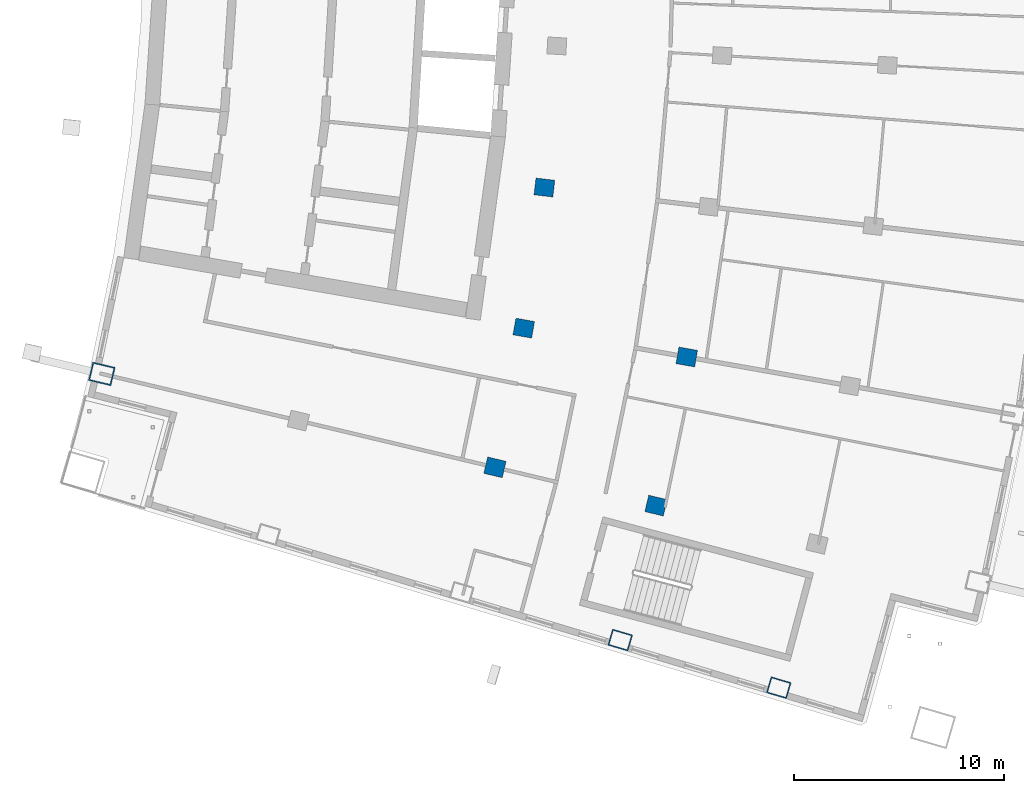
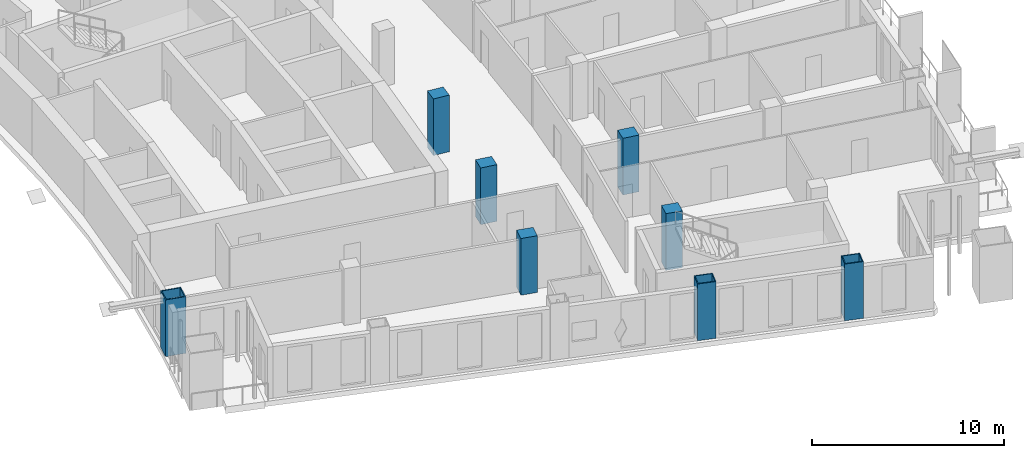
# One storey, part 2 of 20: 8 columns.
"""IFC4 building model written with IfcOpenShell, lengths in metres."""

from ifc_helpers import new_model, si_unit, direction, frame, origin, origin_2d, place, context, subcontext, project, spatial, rectangle, hollow_rectangle, extrude, material, material_profile, profile_set, type_object, element, save


model = new_model("IFC4")

# Units and contexts
model_context = context("Model", 3, precision=1e-05, world=origin(), true_north=direction((0.0, 1.0)))
body_context = subcontext(model_context, "Body", "Model", "MODEL_VIEW")
ifc_project = project(units=[si_unit("LENGTHUNIT", "METRE"), si_unit("AREAUNIT", "SQUARE_METRE"), si_unit("VOLUMEUNIT", "CUBIC_METRE"), si_unit("PLANEANGLEUNIT", "RADIAN"), si_unit("MASSUNIT", "GRAM", prefix="KILO")], contexts=[model_context])

# Site, building, storey
site_placement = place(None, origin())
site = spatial("IfcSite", under=ifc_project, at=site_placement, CompositionType="ELEMENT")
building_placement = place(site_placement, origin())
building = spatial("IfcBuilding", under=site, at=building_placement, Name="Alderwake Tower", CompositionType="ELEMENT")
storey_placement = place(building_placement, frame((0.0, 0.0, 167.60009765625)))
storey = spatial("IfcBuildingStorey", under=building, at=storey_placement, Name="L41", CompositionType="ELEMENT", Elevation=167.60009765625)

# Columns
ifc_material_1 = material(Name="Steel ASTM A572 Grade 50 concrete filled C70/85", Category="concrete")
ifc_material_profile_1 = material_profile(ifc_material_1, hollow_rectangle(XDim=0.800048828125, YDim=1.0, WallThickness=0.054931640625, at=origin_2d()), Name="BOX 1000X800X55")
ifc_profile_set_1 = profile_set([ifc_material_profile_1], Name="Steel ASTM A572 Grade 50 concrete filled C70/85")
column_type_1 = type_object("IfcColumnType", Name="End column Z3", PredefinedType="COLUMN", material=ifc_profile_set_1)
for number, where, z_axis, x_axis, name in (
    (1, (38.614990234375, 26.014892578125, 0.0), (0.0, 0.0, 1.0), (0.282898957267, 0.959149717186, 0.0), "Column R02-C3"),
    (2, (46.1494140625, 23.752685546875, 0.0), (0.0, 0.0, 1.0), (0.283176834711, 0.959067714128, 0.0), "Column R02-C4"),
):
    element("IfcColumn", number, at=place(storey_placement, frame(where, z_axis=z_axis, x_axis=x_axis)), inside=storey, type_object=column_type_1, Name=name, PredefinedType="COLUMN", context=body_context, shape_type="SweptSolid", body=[
        extrude(hollow_rectangle(XDim=0.800048828125, YDim=1.0, WallThickness=0.054931640625, at=origin_2d()), origin(), (0.0, 0.0, 1.0), 3.599853515625),
    ])
ifc_material_2 = material(Name="Concrete C70/85", Category="concrete")
ifc_material_profile_2 = material_profile(ifc_material_2, rectangle(XDim=0.800048828125, YDim=0.89990234375, at=origin_2d()), Name="RC 900X800")
ifc_profile_set_2 = profile_set([ifc_material_profile_2], Name="Concrete C70/85")
column_type_2 = type_object("IfcColumnType", Name="Interior column Z3", PredefinedType="COLUMN", material=ifc_profile_set_2)
for number, where, z_axis, x_axis, name in (
    (3, (32.661865234375, 34.224609375, 0.0), (0.0, 0.0, 1.0), (0.231221547198, 0.972901123502, 0.0), "Column R03-C2"),
    (4, (40.3154296875, 32.405517578125, 0.0), (0.0, 0.0, 1.0), (0.231221547198, 0.972901123502, 0.0), "Column R03-C3"),
    (5, (34.03125, 40.83837890625, 0.0), (0.0, 0.0, 1.0), (0.174108800747, 0.984726421654, 0.0), "Column R04-C2"),
    (6, (41.77783203125, 39.468505859375, 0.0), (0.0, 0.0, 1.0), (0.174108800747, 0.984726421654, 0.0), "Column R04-C3"),
    (7, (35.0126953125, 47.5205078125, 0.0), (0.0, 0.0, 1.0), (0.116402054316, 0.993202175668, 0.0), "Column R05-C2"),
):
    element("IfcColumn", number, at=place(storey_placement, frame(where, z_axis=z_axis, x_axis=x_axis)), inside=storey, type_object=column_type_2, Name=name, PredefinedType="COLUMN", context=body_context, shape_type="SweptSolid", body=[
        extrude(rectangle(XDim=0.800048828125, YDim=0.89990234375, at=origin_2d()), origin(), (0.0, 0.0, 1.0), 3.599853515625),
    ])
ifc_material_3 = material(Name="Steel ASTM A572 Grade 50 concrete filled C70/85", Category="concrete")
ifc_material_profile_3 = material_profile(ifc_material_3, hollow_rectangle(XDim=0.89990234375, YDim=1.10009765625, WallThickness=0.06005859375, at=origin_2d()), Name="BOX 1100X900X60")
ifc_profile_set_3 = profile_set([ifc_material_profile_3], Name="Steel ASTM A572 Grade 50 concrete filled C70/85")
column_type_3 = type_object("IfcColumnType", Name="Perimeter column Z3", PredefinedType="COLUMN", material=ifc_profile_set_3)
column_placement = place(storey_placement, frame((13.982177734375, 38.6640625, 0.0), z_axis=(0.0, 0.0, 1.0), x_axis=(0.231221547198, 0.972901123502, 0.0)))
element("IfcColumn", 8, at=column_placement, inside=storey, type_object=column_type_3, Name="Column R03-C0", PredefinedType="COLUMN", context=body_context, shape_type="SweptSolid", body=[
    extrude(hollow_rectangle(XDim=0.89990234375, YDim=1.10009765625, WallThickness=0.06005859375, at=origin_2d()), origin(), (0.0, 0.0, 1.0), 3.599853515625),
])

save(model, "model.ifc")
